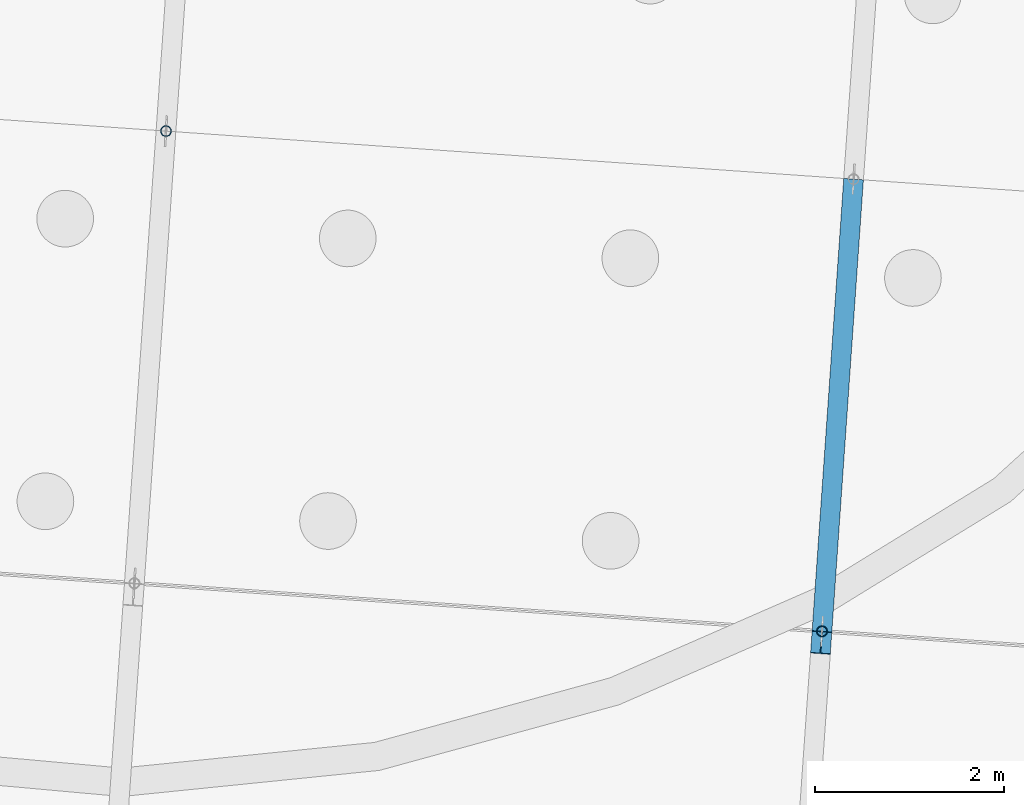
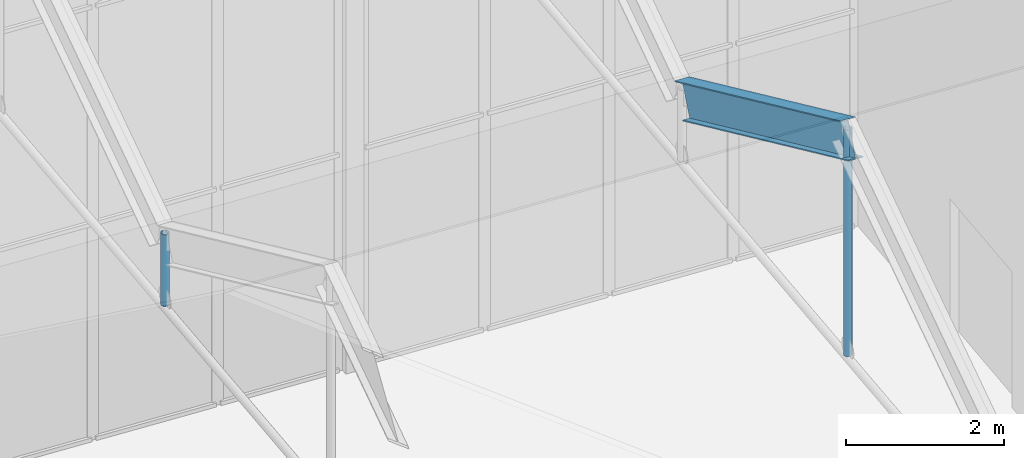
# One storey, part 45 of 157: 3 members.
"""IFC4 building model written with IfcOpenShell, lengths in metres."""

from ifc_helpers import new_model, si_unit, direction, frame, origin, origin_2d, place, context, subcontext, project, spatial, hollow_circle, i_section, extrude, material, material_profile, profile_set, type_object, element, save


model = new_model("IFC4")

# Units and contexts
model_context = context("Model", 3, precision=1e-05, world=origin(), true_north=direction((0.0, 1.0)))
body_context = subcontext(model_context, "Body", "Model", "MODEL_VIEW")
ifc_project = project(units=[si_unit("LENGTHUNIT", "METRE"), si_unit("AREAUNIT", "SQUARE_METRE"), si_unit("VOLUMEUNIT", "CUBIC_METRE"), si_unit("PLANEANGLEUNIT", "RADIAN"), si_unit("MASSUNIT", "GRAM", prefix="KILO")], contexts=[model_context])

# Site, building, storey
site_placement = place(None, origin())
site = spatial("IfcSite", under=ifc_project, at=site_placement, CompositionType="ELEMENT")
building_placement = place(site_placement, origin())
building = spatial("IfcBuilding", under=site, at=building_placement, Name="Windward Yard Aquatics Centre", CompositionType="ELEMENT")
storey_placement = place(building_placement, origin())
storey = spatial("IfcBuildingStorey", under=building, at=storey_placement, Name="L00", CompositionType="ELEMENT", Elevation=0.0)

# Members
ifc_material = material(Name="Steel S355", Category="steel")
ifc_material_profile_1 = material_profile(ifc_material, hollow_circle(Radius=0.05712890625, WallThickness=0.006103515625, at=origin_2d()), Name="CHS114x6")
ifc_profile_set_1 = profile_set([ifc_material_profile_1], Name="Steel S355")
member_type_1 = type_object("IfcMemberType", Name="W CHS114x6 post", PredefinedType="POST", material=ifc_profile_set_1)
member_1_placement = place(storey_placement, frame((87.085205078125, 127.94140625, 9.25), z_axis=(0.0, 0.0, 1.0), x_axis=(1.0, 0.0, 0.0)))
element("IfcMember", 1, at=member_1_placement, inside=storey, type_object=member_type_1, Name="W.HANG.3", PredefinedType="POST", context=body_context, shape_type="SweptSolid", body=[
    extrude(hollow_circle(Radius=0.05712890625, WallThickness=0.006103515625, at=origin_2d()), origin(), (0.0, 0.0, 1.0), 1.110107421875),
])
member_2_placement = place(storey_placement, frame((94.03271484375, 122.643798828125, 9.25), z_axis=(0.0, 0.0, 1.0), x_axis=(1.0, 0.0, 0.0)))
element("IfcMember", 2, at=member_2_placement, inside=storey, type_object=member_type_1, Name="W.STRUT.4.1", PredefinedType="POST", context=body_context, shape_type="SweptSolid", body=[
    extrude(hollow_circle(Radius=0.05712890625, WallThickness=0.006103515625, at=origin_2d()), origin(), (0.0, 0.0, 1.0), 3.510009765625),
])
ifc_material_profile_2 = material_profile(ifc_material, i_section(OverallWidth=0.208984375, OverallDepth=0.532958984375, WebThickness=0.01025390625, FlangeThickness=0.015625, at=origin_2d()), Name="W530x92")
ifc_profile_set_2 = profile_set([ifc_material_profile_2], Name="Steel S355")
member_type_2 = type_object("IfcMemberType", Name="W W530x92 rafter", PredefinedType="RAFTER", material=ifc_profile_set_2)
member_3_placement = place(storey_placement, frame((94.0244140625, 122.525146484375, 12.66162109375), z_axis=(0.062371148263, 0.892257717645, -0.447197948527), x_axis=(-0.997565729611, 0.069732453745, 0.0)))
element("IfcMember", 3, at=member_3_placement, inside=storey, type_object=member_type_2, Name="W.RAF.4.2", PredefinedType="RAFTER", context=body_context, shape_type="SweptSolid", body=[
    extrude(i_section(OverallWidth=0.208984375, OverallDepth=0.532958984375, WebThickness=0.01025390625, FlangeThickness=0.015625, at=origin_2d()), origin(), (0.0, 0.0, 1.0), 5.366455078125),
])

save(model, "model.ifc")
